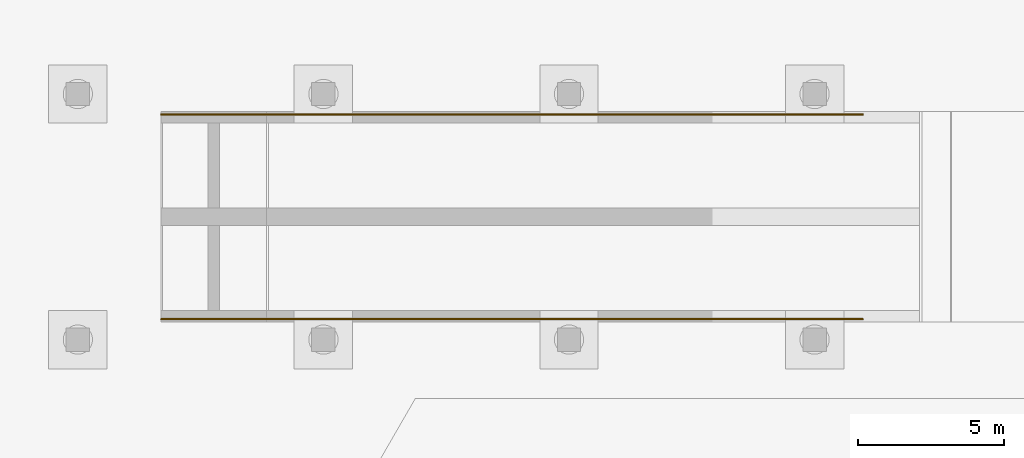
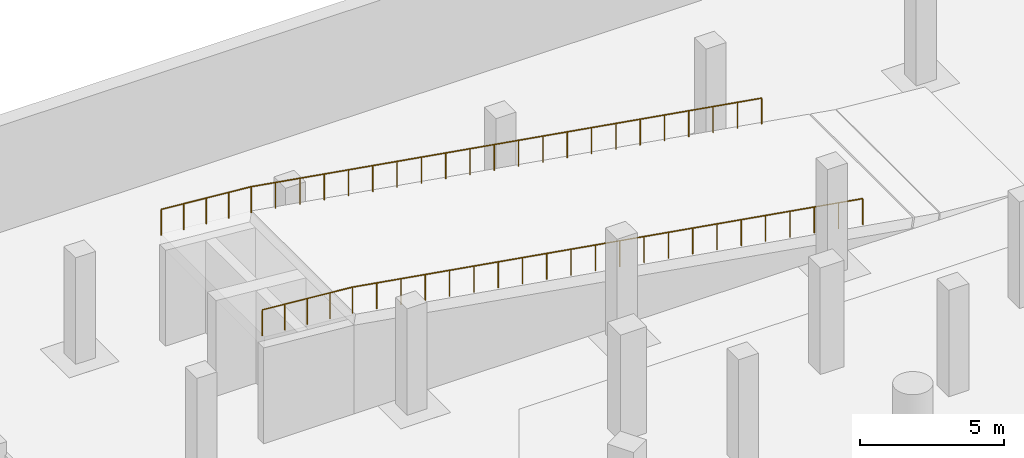
# One storey, part 20 of 23: 2 railings.
"""IFC4 building model written with IfcOpenShell, lengths in metres."""

from ifc_helpers import new_model, si_unit, direction, frame, origin, origin_2d, place, context, subcontext, project, spatial, circle, extrude, material, type_object, element, save


model = new_model("IFC4")

# Units and contexts
model_context = context("Model", 3, precision=1e-05, world=origin(), true_north=direction((0.0, 1.0)))
body_context = subcontext(model_context, "Body", "Model", "MODEL_VIEW")
ifc_project = project(units=[si_unit("LENGTHUNIT", "METRE"), si_unit("AREAUNIT", "SQUARE_METRE"), si_unit("VOLUMEUNIT", "CUBIC_METRE"), si_unit("PLANEANGLEUNIT", "RADIAN"), si_unit("MASSUNIT", "GRAM", prefix="KILO")], contexts=[model_context])

# Site, building, storey
site_placement = place(None, origin())
site = spatial("IfcSite", under=ifc_project, at=site_placement, CompositionType="ELEMENT")
building_placement = place(site_placement, origin())
building = spatial("IfcBuilding", under=site, at=building_placement, Name="Trine Commons Tower", CompositionType="ELEMENT")
storey_placement = place(building_placement, frame((0.0, 0.0, -9.0)))
storey = spatial("IfcBuildingStorey", under=building, at=storey_placement, Name="B2", CompositionType="ELEMENT", Elevation=-9.0)

# Railings
ifc_material = material(Name="Structural steel ASTM A500 Gr C", Category="steel")
railing_type = type_object("IfcRailingType", Name="Steel guard 1120 mm, ASTM A500 Gr C", PredefinedType="GUARDRAIL", material=ifc_material)
railing_1_placement = place(storey_placement, frame((40.85009765625, 88.39990234375, 4.5)))
element("IfcRailing", 1, at=railing_1_placement, inside=storey, type_object=railing_type, Name="Ramp R2 guard W1", PredefinedType="GUARDRAIL", context=body_context, shape_type="SweptSolid", body=[
    extrude(circle(Radius=0.02392578125, at=origin_2d()), frame((0.0, 0.0, 1.09619140625), z_axis=(0.996544359788, 0.0, -0.083062259626), x_axis=(0.0, 1.0, 0.0)), (0.0, 0.0, 1.0), 3.6123046875),
    extrude(circle(Radius=0.02392578125, at=origin_2d()), frame((3.599853515625, 0.0, 0.7958984375), z_axis=(0.986394880959, 0.0, -0.164393244441), x_axis=(0.0, 1.0, 0.0)), (0.0, 0.0, 1.0), 20.681640625),
    extrude(circle(Radius=0.02099609375, at=origin_2d()), origin(), (0.0, 0.0, 1.0), 1.072021484375),
    extrude(circle(Radius=0.02099609375, at=origin_2d()), frame((0.89990234375, 0.0, -0.074951171875)), (0.0, 0.0, 1.0), 1.072021484375),
    extrude(circle(Radius=0.02099609375, at=origin_2d()), frame((1.7998046875, 0.0, -0.14990234375)), (0.0, 0.0, 1.0), 1.072021484375),
    extrude(circle(Radius=0.02099609375, at=origin_2d()), frame((2.699951171875, 0.0, -0.22509765625)), (0.0, 0.0, 1.0), 1.072021484375),
    extrude(circle(Radius=0.02099609375, at=origin_2d()), frame((3.599853515625, 0.0, -0.300048828125)), (0.0, 0.0, 1.0), 1.072021484375),
    extrude(circle(Radius=0.02099609375, at=origin_2d()), frame((4.5712890625, 0.0, -0.4619140625)), (0.0, 0.0, 1.0), 1.072021484375),
    extrude(circle(Radius=0.02099609375, at=origin_2d()), frame((5.542724609375, 0.0, -0.623779296875)), (0.0, 0.0, 1.0), 1.072021484375),
    extrude(circle(Radius=0.02099609375, at=origin_2d()), frame((6.51416015625, 0.0, -0.78564453125)), (0.0, 0.0, 1.0), 1.072021484375),
    extrude(circle(Radius=0.02099609375, at=origin_2d()), frame((7.485595703125, 0.0, -0.94775390625)), (0.0, 0.0, 1.0), 1.072021484375),
    extrude(circle(Radius=0.02099609375, at=origin_2d()), frame((8.45703125, 0.0, -1.109619140625)), (0.0, 0.0, 1.0), 1.072021484375),
    extrude(circle(Radius=0.02099609375, at=origin_2d()), frame((9.428466796875, 0.0, -1.271484375)), (0.0, 0.0, 1.0), 1.072021484375),
    extrude(circle(Radius=0.02099609375, at=origin_2d()), frame((10.39990234375, 0.0, -1.433349609375)), (0.0, 0.0, 1.0), 1.072021484375),
    extrude(circle(Radius=0.02099609375, at=origin_2d()), frame((11.371337890625, 0.0, -1.59521484375)), (0.0, 0.0, 1.0), 1.072021484375),
    extrude(circle(Radius=0.02099609375, at=origin_2d()), frame((12.3427734375, 0.0, -1.757080078125)), (0.0, 0.0, 1.0), 1.072021484375),
    extrude(circle(Radius=0.02099609375, at=origin_2d()), frame((13.314208984375, 0.0, -1.9189453125)), (0.0, 0.0, 1.0), 1.072021484375),
    extrude(circle(Radius=0.02099609375, at=origin_2d()), frame((14.28564453125, 0.0, -2.0810546875)), (0.0, 0.0, 1.0), 1.072021484375),
    extrude(circle(Radius=0.02099609375, at=origin_2d()), frame((15.257080078125, 0.0, -2.242919921875)), (0.0, 0.0, 1.0), 1.072021484375),
    extrude(circle(Radius=0.02099609375, at=origin_2d()), frame((16.228515625, 0.0, -2.40478515625)), (0.0, 0.0, 1.0), 1.072021484375),
    extrude(circle(Radius=0.02099609375, at=origin_2d()), frame((17.199951171875, 0.0, -2.566650390625)), (0.0, 0.0, 1.0), 1.072021484375),
    extrude(circle(Radius=0.02099609375, at=origin_2d()), frame((18.17138671875, 0.0, -2.728515625)), (0.0, 0.0, 1.0), 1.072021484375),
    extrude(circle(Radius=0.02099609375, at=origin_2d()), frame((19.142822265625, 0.0, -2.890380859375)), (0.0, 0.0, 1.0), 1.072021484375),
    extrude(circle(Radius=0.02099609375, at=origin_2d()), frame((20.1142578125, 0.0, -3.05224609375)), (0.0, 0.0, 1.0), 1.072021484375),
    extrude(circle(Radius=0.02099609375, at=origin_2d()), frame((21.085693359375, 0.0, -3.21435546875)), (0.0, 0.0, 1.0), 1.072021484375),
    extrude(circle(Radius=0.02099609375, at=origin_2d()), frame((22.05712890625, 0.0, -3.376220703125)), (0.0, 0.0, 1.0), 1.072021484375),
    extrude(circle(Radius=0.02099609375, at=origin_2d()), frame((23.028564453125, 0.0, -3.5380859375)), (0.0, 0.0, 1.0), 1.072021484375),
    extrude(circle(Radius=0.02099609375, at=origin_2d()), frame((24.0, 0.0, -3.699951171875)), (0.0, 0.0, 1.0), 1.072021484375),
])
railing_2_placement = place(storey_placement, frame((40.85009765625, 95.39990234375, 4.5)))
element("IfcRailing", 2, at=railing_2_placement, inside=storey, type_object=railing_type, Name="Ramp R2 guard E1", PredefinedType="GUARDRAIL", context=body_context, shape_type="SweptSolid", body=[
    extrude(circle(Radius=0.02392578125, at=origin_2d()), frame((0.0, 0.0, 1.09619140625), z_axis=(0.996544359788, 0.0, -0.083062259626), x_axis=(0.0, 1.0, 0.0)), (0.0, 0.0, 1.0), 3.6123046875),
    extrude(circle(Radius=0.02392578125, at=origin_2d()), frame((3.599853515625, 0.0, 0.7958984375), z_axis=(0.986394880959, 0.0, -0.164393244441), x_axis=(0.0, 1.0, 0.0)), (0.0, 0.0, 1.0), 20.681640625),
    extrude(circle(Radius=0.02099609375, at=origin_2d()), origin(), (0.0, 0.0, 1.0), 1.072021484375),
    extrude(circle(Radius=0.02099609375, at=origin_2d()), frame((0.89990234375, 0.0, -0.074951171875)), (0.0, 0.0, 1.0), 1.072021484375),
    extrude(circle(Radius=0.02099609375, at=origin_2d()), frame((1.7998046875, 0.0, -0.14990234375)), (0.0, 0.0, 1.0), 1.072021484375),
    extrude(circle(Radius=0.02099609375, at=origin_2d()), frame((2.699951171875, 0.0, -0.22509765625)), (0.0, 0.0, 1.0), 1.072021484375),
    extrude(circle(Radius=0.02099609375, at=origin_2d()), frame((3.599853515625, 0.0, -0.300048828125)), (0.0, 0.0, 1.0), 1.072021484375),
    extrude(circle(Radius=0.02099609375, at=origin_2d()), frame((4.5712890625, 0.0, -0.4619140625)), (0.0, 0.0, 1.0), 1.072021484375),
    extrude(circle(Radius=0.02099609375, at=origin_2d()), frame((5.542724609375, 0.0, -0.623779296875)), (0.0, 0.0, 1.0), 1.072021484375),
    extrude(circle(Radius=0.02099609375, at=origin_2d()), frame((6.51416015625, 0.0, -0.78564453125)), (0.0, 0.0, 1.0), 1.072021484375),
    extrude(circle(Radius=0.02099609375, at=origin_2d()), frame((7.485595703125, 0.0, -0.94775390625)), (0.0, 0.0, 1.0), 1.072021484375),
    extrude(circle(Radius=0.02099609375, at=origin_2d()), frame((8.45703125, 0.0, -1.109619140625)), (0.0, 0.0, 1.0), 1.072021484375),
    extrude(circle(Radius=0.02099609375, at=origin_2d()), frame((9.428466796875, 0.0, -1.271484375)), (0.0, 0.0, 1.0), 1.072021484375),
    extrude(circle(Radius=0.02099609375, at=origin_2d()), frame((10.39990234375, 0.0, -1.433349609375)), (0.0, 0.0, 1.0), 1.072021484375),
    extrude(circle(Radius=0.02099609375, at=origin_2d()), frame((11.371337890625, 0.0, -1.59521484375)), (0.0, 0.0, 1.0), 1.072021484375),
    extrude(circle(Radius=0.02099609375, at=origin_2d()), frame((12.3427734375, 0.0, -1.757080078125)), (0.0, 0.0, 1.0), 1.072021484375),
    extrude(circle(Radius=0.02099609375, at=origin_2d()), frame((13.314208984375, 0.0, -1.9189453125)), (0.0, 0.0, 1.0), 1.072021484375),
    extrude(circle(Radius=0.02099609375, at=origin_2d()), frame((14.28564453125, 0.0, -2.0810546875)), (0.0, 0.0, 1.0), 1.072021484375),
    extrude(circle(Radius=0.02099609375, at=origin_2d()), frame((15.257080078125, 0.0, -2.242919921875)), (0.0, 0.0, 1.0), 1.072021484375),
    extrude(circle(Radius=0.02099609375, at=origin_2d()), frame((16.228515625, 0.0, -2.40478515625)), (0.0, 0.0, 1.0), 1.072021484375),
    extrude(circle(Radius=0.02099609375, at=origin_2d()), frame((17.199951171875, 0.0, -2.566650390625)), (0.0, 0.0, 1.0), 1.072021484375),
    extrude(circle(Radius=0.02099609375, at=origin_2d()), frame((18.17138671875, 0.0, -2.728515625)), (0.0, 0.0, 1.0), 1.072021484375),
    extrude(circle(Radius=0.02099609375, at=origin_2d()), frame((19.142822265625, 0.0, -2.890380859375)), (0.0, 0.0, 1.0), 1.072021484375),
    extrude(circle(Radius=0.02099609375, at=origin_2d()), frame((20.1142578125, 0.0, -3.05224609375)), (0.0, 0.0, 1.0), 1.072021484375),
    extrude(circle(Radius=0.02099609375, at=origin_2d()), frame((21.085693359375, 0.0, -3.21435546875)), (0.0, 0.0, 1.0), 1.072021484375),
    extrude(circle(Radius=0.02099609375, at=origin_2d()), frame((22.05712890625, 0.0, -3.376220703125)), (0.0, 0.0, 1.0), 1.072021484375),
    extrude(circle(Radius=0.02099609375, at=origin_2d()), frame((23.028564453125, 0.0, -3.5380859375)), (0.0, 0.0, 1.0), 1.072021484375),
    extrude(circle(Radius=0.02099609375, at=origin_2d()), frame((24.0, 0.0, -3.699951171875)), (0.0, 0.0, 1.0), 1.072021484375),
])

save(model, "model.ifc")
